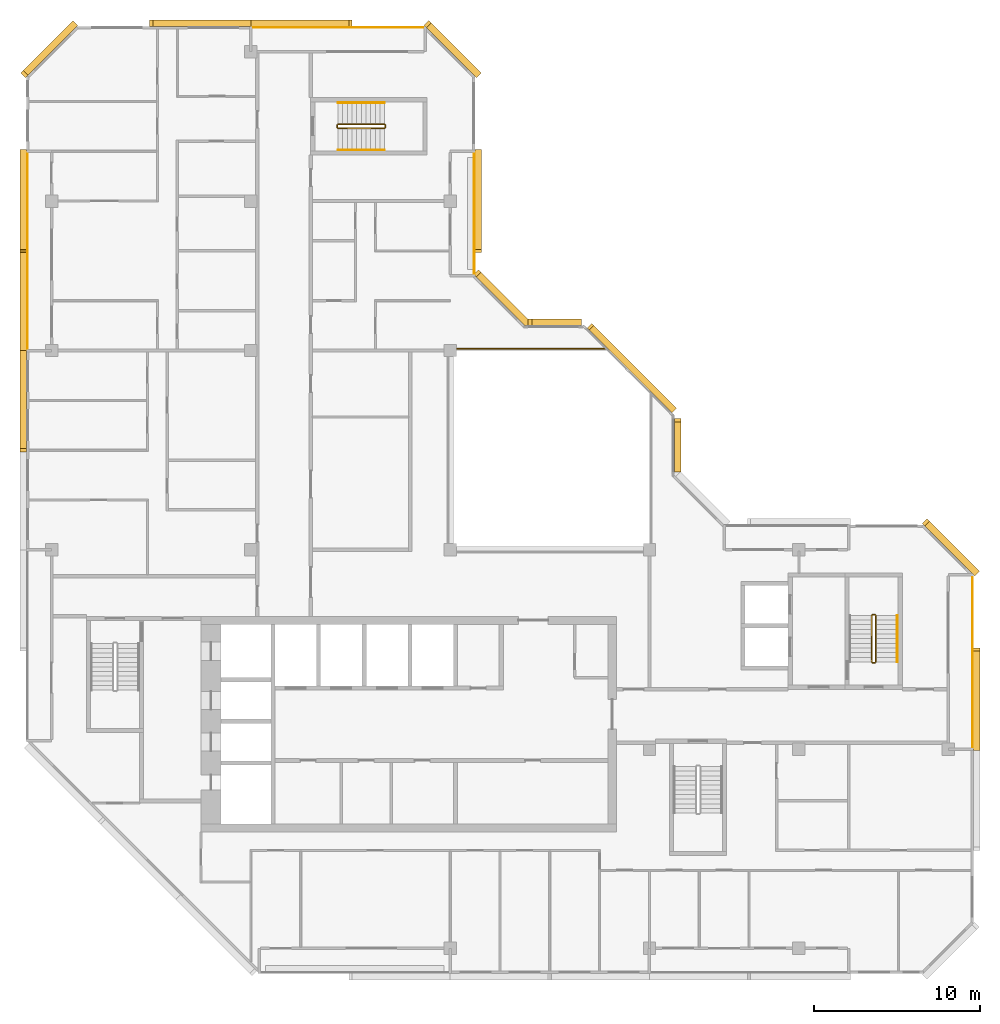
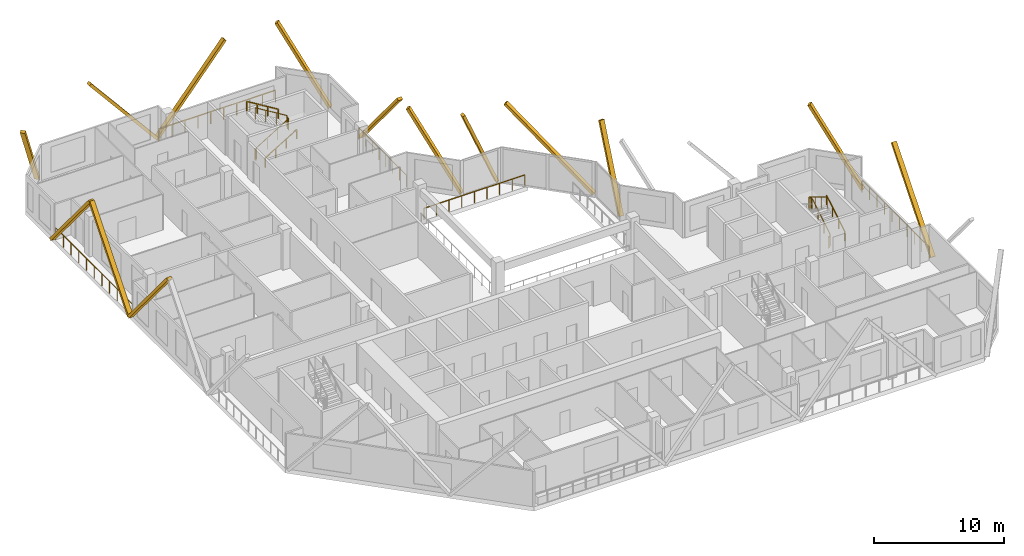
# One storey, part 12 of 12: 14 coverings, 10 railings.
"""IFC4 building model written with IfcOpenShell, lengths in metres."""

from ifc_helpers import new_model, si_unit, direction, frame, origin, origin_2d, place, context, subcontext, project, spatial, rectangle, extrude, material, material_profile, profile_set, type_object, element, save


model = new_model("IFC4")

# Units and contexts
model_context = context("Model", 3, precision=1e-05, world=origin(), true_north=direction((0.0, 1.0)))
body_context = subcontext(model_context, "Body", "Model", "MODEL_VIEW")
ifc_project = project(units=[si_unit("LENGTHUNIT", "METRE"), si_unit("AREAUNIT", "SQUARE_METRE"), si_unit("VOLUMEUNIT", "CUBIC_METRE"), si_unit("PLANEANGLEUNIT", "RADIAN"), si_unit("MASSUNIT", "GRAM", prefix="KILO")], contexts=[model_context])

# Site, building, storey
site_placement = place(None, origin())
site = spatial("IfcSite", under=ifc_project, at=site_placement, CompositionType="ELEMENT")
building_placement = place(site_placement, origin())
building = spatial("IfcBuilding", under=site, at=building_placement, Name="Chenar Terraces", CompositionType="ELEMENT")
storey_placement = place(building_placement, frame((0.0, 0.0, 361.39990234375)))
storey = spatial("IfcBuildingStorey", under=building, at=storey_placement, Name="L84", CompositionType="ELEMENT", Elevation=361.39990234375)

# Railings
ifc_material_1 = material(Name="Powder-coated steel", Category="steel")
railing_type_1 = type_object("IfcRailingType", Name="Guard 1100 steel rail with glass infill", PredefinedType="GUARDRAIL", material=ifc_material_1)
railing_1_placement = place(storey_placement, frame((24.425048828125, 36.10009765625, 0.0)))
element("IfcRailing", 1, at=railing_1_placement, inside=storey, type_object=railing_type_1, Name="Guard L84-2", PredefinedType="GUARDRAIL", context=body_context, shape_type="SweptSolid", body=[
    extrude(rectangle(XDim=0.06005859375, YDim=0.06005859375, at=origin_2d()), frame((0.0, 0.0, 1.070068359375), z_axis=(1.0, 0.0, 0.0), x_axis=(0.0, 1.0, 0.0)), (0.0, 0.0, 1.0), 8.974853515625),
    extrude(rectangle(XDim=0.050048828125, YDim=0.050048828125, at=origin_2d()), origin(), (0.0, 0.0, 1.0), 1.0400390625),
    extrude(rectangle(XDim=0.050048828125, YDim=0.050048828125, at=origin_2d()), frame((1.121826171875, 0.0, 0.0)), (0.0, 0.0, 1.0), 1.0400390625),
    extrude(rectangle(XDim=0.050048828125, YDim=0.050048828125, at=origin_2d()), frame((2.24365234375, 0.0, 0.0)), (0.0, 0.0, 1.0), 1.0400390625),
    extrude(rectangle(XDim=0.050048828125, YDim=0.050048828125, at=origin_2d()), frame((3.365478515625, 0.0, 0.0)), (0.0, 0.0, 1.0), 1.0400390625),
    extrude(rectangle(XDim=0.050048828125, YDim=0.050048828125, at=origin_2d()), frame((4.4873046875, 0.0, 0.0)), (0.0, 0.0, 1.0), 1.0400390625),
    extrude(rectangle(XDim=0.050048828125, YDim=0.050048828125, at=origin_2d()), frame((5.609375, 0.0, 0.0)), (0.0, 0.0, 1.0), 1.0400390625),
    extrude(rectangle(XDim=0.050048828125, YDim=0.050048828125, at=origin_2d()), frame((6.731201171875, 0.0, 0.0)), (0.0, 0.0, 1.0), 1.0400390625),
    extrude(rectangle(XDim=0.050048828125, YDim=0.050048828125, at=origin_2d()), frame((7.85302734375, 0.0, 0.0)), (0.0, 0.0, 1.0), 1.0400390625),
    extrude(rectangle(XDim=0.050048828125, YDim=0.050048828125, at=origin_2d()), frame((8.974853515625, 0.0, 0.0)), (0.0, 0.0, 1.0), 1.0400390625),
])
ifc_material_2 = material(Name="Stainless steel and glass", Category="steel")
railing_type_2 = type_object("IfcRailingType", Name="Loggia guard 1150", PredefinedType="GUARDRAIL", material=ifc_material_2)
railing_2_placement = place(storey_placement, frame((25.449951171875, 40.574951171875, 0.0)))
element("IfcRailing", 2, at=railing_2_placement, inside=storey, type_object=railing_type_2, Name="Loggia guard", PredefinedType="GUARDRAIL", context=body_context, shape_type="SweptSolid", body=[
    extrude(rectangle(XDim=0.048095703125, YDim=0.048095703125, at=origin_2d()), frame((0.0, 0.0, 1.1259765625), z_axis=(0.0, 1.0, 0.0), x_axis=(-1.0, 0.0, 0.0)), (0.0, 0.0, 1.0), 7.35009765625),
    extrude(rectangle(XDim=0.0419921875, YDim=0.0419921875, at=origin_2d()), origin(), (0.0, 0.0, 1.0), 1.101806640625),
    extrude(rectangle(XDim=0.0419921875, YDim=0.0419921875, at=origin_2d()), frame((0.0, 1.050048828125, 0.0)), (0.0, 0.0, 1.0), 1.101806640625),
    extrude(rectangle(XDim=0.0419921875, YDim=0.0419921875, at=origin_2d()), frame((0.0, 2.10009765625, 0.0)), (0.0, 0.0, 1.0), 1.101806640625),
    extrude(rectangle(XDim=0.0419921875, YDim=0.0419921875, at=origin_2d()), frame((0.0, 3.150146484375, 0.0)), (0.0, 0.0, 1.0), 1.101806640625),
    extrude(rectangle(XDim=0.0419921875, YDim=0.0419921875, at=origin_2d()), frame((0.0, 4.199951171875, 0.0)), (0.0, 0.0, 1.0), 1.101806640625),
    extrude(rectangle(XDim=0.0419921875, YDim=0.0419921875, at=origin_2d()), frame((0.0, 5.25, 0.0)), (0.0, 0.0, 1.0), 1.101806640625),
    extrude(rectangle(XDim=0.0419921875, YDim=0.0419921875, at=origin_2d()), frame((0.0, 6.300048828125, 0.0)), (0.0, 0.0, 1.0), 1.101806640625),
    extrude(rectangle(XDim=0.0419921875, YDim=0.0419921875, at=origin_2d()), frame((0.0, 7.35009765625, 0.0)), (0.0, 0.0, 1.0), 1.101806640625),
])
railing_3_placement = place(storey_placement, frame((55.449951171875, 12.074951171875, 0.0)))
element("IfcRailing", 3, at=railing_3_placement, inside=storey, type_object=railing_type_2, Name="Loggia guard", PredefinedType="GUARDRAIL", context=body_context, shape_type="SweptSolid", body=[
    extrude(rectangle(XDim=0.048095703125, YDim=0.048095703125, at=origin_2d()), frame((0.0, 0.0, 1.1259765625), z_axis=(0.0, 1.0, 0.0), x_axis=(-1.0, 0.0, 0.0)), (0.0, 0.0, 1.0), 10.35009765625),
    extrude(rectangle(XDim=0.0419921875, YDim=0.0419921875, at=origin_2d()), origin(), (0.0, 0.0, 1.0), 1.101806640625),
    extrude(rectangle(XDim=0.0419921875, YDim=0.0419921875, at=origin_2d()), frame((0.0, 1.14990234375, 0.0)), (0.0, 0.0, 1.0), 1.101806640625),
    extrude(rectangle(XDim=0.0419921875, YDim=0.0419921875, at=origin_2d()), frame((0.0, 2.300048828125, 0.0)), (0.0, 0.0, 1.0), 1.101806640625),
    extrude(rectangle(XDim=0.0419921875, YDim=0.0419921875, at=origin_2d()), frame((0.0, 3.449951171875, 0.0)), (0.0, 0.0, 1.0), 1.101806640625),
    extrude(rectangle(XDim=0.0419921875, YDim=0.0419921875, at=origin_2d()), frame((0.0, 4.60009765625, 0.0)), (0.0, 0.0, 1.0), 1.101806640625),
    extrude(rectangle(XDim=0.0419921875, YDim=0.0419921875, at=origin_2d()), frame((0.0, 5.75, 0.0)), (0.0, 0.0, 1.0), 1.101806640625),
    extrude(rectangle(XDim=0.0419921875, YDim=0.0419921875, at=origin_2d()), frame((0.0, 6.900146484375, 0.0)), (0.0, 0.0, 1.0), 1.101806640625),
    extrude(rectangle(XDim=0.0419921875, YDim=0.0419921875, at=origin_2d()), frame((0.0, 8.050048828125, 0.0)), (0.0, 0.0, 1.0), 1.101806640625),
    extrude(rectangle(XDim=0.0419921875, YDim=0.0419921875, at=origin_2d()), frame((0.0, 9.2001953125, 0.0)), (0.0, 0.0, 1.0), 1.101806640625),
    extrude(rectangle(XDim=0.0419921875, YDim=0.0419921875, at=origin_2d()), frame((0.0, 10.35009765625, 0.0)), (0.0, 0.0, 1.0), 1.101806640625),
])
railing_4_placement = place(storey_placement, frame((22.425048828125, 55.449951171875, 0.0)))
element("IfcRailing", 4, at=railing_4_placement, inside=storey, type_object=railing_type_2, Name="Loggia guard", PredefinedType="GUARDRAIL", context=body_context, shape_type="SweptSolid", body=[
    extrude(rectangle(XDim=0.048095703125, YDim=0.048095703125, at=origin_2d()), frame((0.0, 0.0, 1.1259765625), z_axis=(-1.0, 0.0, 0.0), x_axis=(0.0, -1.0, 0.0)), (0.0, 0.0, 1.0), 10.35009765625),
    extrude(rectangle(XDim=0.0419921875, YDim=0.0419921875, at=origin_2d()), origin(), (0.0, 0.0, 1.0), 1.101806640625),
    extrude(rectangle(XDim=0.0419921875, YDim=0.0419921875, at=origin_2d()), frame((-1.14990234375, 0.0, 0.0)), (0.0, 0.0, 1.0), 1.101806640625),
    extrude(rectangle(XDim=0.0419921875, YDim=0.0419921875, at=origin_2d()), frame((-2.300048828125, 0.0, 0.0)), (0.0, 0.0, 1.0), 1.101806640625),
    extrude(rectangle(XDim=0.0419921875, YDim=0.0419921875, at=origin_2d()), frame((-3.449951171875, 0.0, 0.0)), (0.0, 0.0, 1.0), 1.101806640625),
    extrude(rectangle(XDim=0.0419921875, YDim=0.0419921875, at=origin_2d()), frame((-4.60009765625, 0.0, 0.0)), (0.0, 0.0, 1.0), 1.101806640625),
    extrude(rectangle(XDim=0.0419921875, YDim=0.0419921875, at=origin_2d()), frame((-5.75, 0.0, 0.0)), (0.0, 0.0, 1.0), 1.101806640625),
    extrude(rectangle(XDim=0.0419921875, YDim=0.0419921875, at=origin_2d()), frame((-6.900146484375, 0.0, 0.0)), (0.0, 0.0, 1.0), 1.101806640625),
    extrude(rectangle(XDim=0.0419921875, YDim=0.0419921875, at=origin_2d()), frame((-8.050048828125, 0.0, 0.0)), (0.0, 0.0, 1.0), 1.101806640625),
    extrude(rectangle(XDim=0.0419921875, YDim=0.0419921875, at=origin_2d()), frame((-9.2001953125, 0.0, 0.0)), (0.0, 0.0, 1.0), 1.101806640625),
    extrude(rectangle(XDim=0.0419921875, YDim=0.0419921875, at=origin_2d()), frame((-10.35009765625, 0.0, 0.0)), (0.0, 0.0, 1.0), 1.101806640625),
])
railing_5_placement = place(storey_placement, frame((-1.449951171875, 47.925048828125, 0.0)))
element("IfcRailing", 5, at=railing_5_placement, inside=storey, type_object=railing_type_2, Name="Loggia guard", PredefinedType="GUARDRAIL", context=body_context, shape_type="SweptSolid", body=[
    extrude(rectangle(XDim=0.048095703125, YDim=0.048095703125, at=origin_2d()), frame((0.0, 0.0, 1.1259765625), z_axis=(0.0, -1.0, 0.0), x_axis=(1.0, 0.0, 0.0)), (0.0, 0.0, 1.0), 11.85009765625),
    extrude(rectangle(XDim=0.0419921875, YDim=0.0419921875, at=origin_2d()), origin(), (0.0, 0.0, 1.0), 1.101806640625),
    extrude(rectangle(XDim=0.0419921875, YDim=0.0419921875, at=origin_2d()), frame((0.0, -1.18505859375, 0.0)), (0.0, 0.0, 1.0), 1.101806640625),
    extrude(rectangle(XDim=0.0419921875, YDim=0.0419921875, at=origin_2d()), frame((0.0, -2.3701171875, 0.0)), (0.0, 0.0, 1.0), 1.101806640625),
    extrude(rectangle(XDim=0.0419921875, YDim=0.0419921875, at=origin_2d()), frame((0.0, -3.554931640625, 0.0)), (0.0, 0.0, 1.0), 1.101806640625),
    extrude(rectangle(XDim=0.0419921875, YDim=0.0419921875, at=origin_2d()), frame((0.0, -4.739990234375, 0.0)), (0.0, 0.0, 1.0), 1.101806640625),
    extrude(rectangle(XDim=0.0419921875, YDim=0.0419921875, at=origin_2d()), frame((0.0, -5.925048828125, 0.0)), (0.0, 0.0, 1.0), 1.101806640625),
    extrude(rectangle(XDim=0.0419921875, YDim=0.0419921875, at=origin_2d()), frame((0.0, -7.110107421875, 0.0)), (0.0, 0.0, 1.0), 1.101806640625),
    extrude(rectangle(XDim=0.0419921875, YDim=0.0419921875, at=origin_2d()), frame((0.0, -8.295166015625, 0.0)), (0.0, 0.0, 1.0), 1.101806640625),
    extrude(rectangle(XDim=0.0419921875, YDim=0.0419921875, at=origin_2d()), frame((0.0, -9.47998046875, 0.0)), (0.0, 0.0, 1.0), 1.101806640625),
    extrude(rectangle(XDim=0.0419921875, YDim=0.0419921875, at=origin_2d()), frame((0.0, -10.6650390625, 0.0)), (0.0, 0.0, 1.0), 1.101806640625),
    extrude(rectangle(XDim=0.0419921875, YDim=0.0419921875, at=origin_2d()), frame((0.0, -11.85009765625, 0.0)), (0.0, 0.0, 1.0), 1.101806640625),
])
ifc_material_3 = material(Name="Powder-coated steel", Category="steel")
railing_type_3 = type_object("IfcRailingType", Name="Stair guard 1100", PredefinedType="GUARDRAIL", material=ifc_material_3)
railing_6_placement = place(storey_placement, frame((49.375, 17.25, 3.75)))
element("IfcRailing", 6, at=railing_6_placement, inside=storey, type_object=railing_type_3, Name="L84 ST3 stair guard 1", PredefinedType="GUARDRAIL", context=body_context, shape_type="SweptSolid", body=[
    extrude(rectangle(XDim=0.048095703125, YDim=0.048095703125, at=origin_2d()), frame((0.0, 0.0, 1.076171875), z_axis=(0.0, 0.854202870247, -0.519939858505), x_axis=(-1.0, 0.0, 0.0)), (0.0, 0.0, 1.0), 3.278076171875),
    extrude(rectangle(XDim=0.048095703125, YDim=0.048095703125, at=origin_2d()), frame((0.0, 2.800048828125, -0.62841796875), z_axis=(0.270899902878, 0.270899902878, -0.923702595667), x_axis=(-0.707106781187, 0.707106781187, 0.0)), (0.0, 0.0, 1.0), 0.184814453125),
    extrude(rectangle(XDim=0.048095703125, YDim=0.048095703125, at=origin_2d()), frame((0.050048828125, 2.85009765625, -0.798828125), z_axis=(1.0, 0.0, 0.0), x_axis=(0.0, 1.0, 0.0)), (0.0, 0.0, 1.0), 0.14990234375),
    extrude(rectangle(XDim=0.048095703125, YDim=0.048095703125, at=origin_2d()), frame((0.199951171875, 2.85009765625, -0.798828125), z_axis=(0.707106781187, -0.707106781187, 0.0), x_axis=(0.707106781187, 0.707106781187, 0.0)), (0.0, 0.0, 1.0), 0.07080078125),
    extrude(rectangle(XDim=0.048095703125, YDim=0.048095703125, at=origin_2d()), frame((0.25, 2.800048828125, -0.798828125), z_axis=(0.0, -0.854202870247, -0.519939858505), x_axis=(1.0, 0.0, 0.0)), (0.0, 0.0, 1.0), 3.278076171875),
    extrude(rectangle(XDim=0.048095703125, YDim=0.048095703125, at=origin_2d()), frame((0.25, 0.0, -2.50341796875), z_axis=(-0.270899902878, -0.270899902878, -0.923702595667), x_axis=(0.707106781187, -0.707106781187, 0.0)), (0.0, 0.0, 1.0), 0.184814453125),
    extrude(rectangle(XDim=0.048095703125, YDim=0.048095703125, at=origin_2d()), frame((0.199951171875, -0.050048828125, -2.673828125), z_axis=(-1.0, 0.0, 0.0), x_axis=(0.0, -1.0, 0.0)), (0.0, 0.0, 1.0), 0.14990234375),
    extrude(rectangle(XDim=0.0419921875, YDim=0.0419921875, at=origin_2d()), origin(), (0.0, 0.0, 1.0), 1.052001953125),
    extrude(rectangle(XDim=0.0419921875, YDim=0.0419921875, at=origin_2d()), frame((0.0, 0.933349609375, -0.568115234375)), (0.0, 0.0, 1.0), 1.052001953125),
    extrude(rectangle(XDim=0.0419921875, YDim=0.0419921875, at=origin_2d()), frame((0.0, 1.86669921875, -1.13623046875)), (0.0, 0.0, 1.0), 1.052001953125),
    extrude(rectangle(XDim=0.0419921875, YDim=0.0419921875, at=origin_2d()), frame((0.0, 2.800048828125, -1.704345703125)), (0.0, 0.0, 1.0), 1.052001953125),
    extrude(rectangle(XDim=0.0419921875, YDim=0.0419921875, at=origin_2d()), frame((0.050048828125, 2.85009765625, -1.875)), (0.0, 0.0, 1.0), 1.052001953125),
    extrude(rectangle(XDim=0.0419921875, YDim=0.0419921875, at=origin_2d()), frame((0.199951171875, 2.85009765625, -1.875)), (0.0, 0.0, 1.0), 1.052001953125),
    extrude(rectangle(XDim=0.0419921875, YDim=0.0419921875, at=origin_2d()), frame((0.25, 2.800048828125, -1.875)), (0.0, 0.0, 1.0), 1.052001953125),
    extrude(rectangle(XDim=0.0419921875, YDim=0.0419921875, at=origin_2d()), frame((0.25, 1.86669921875, -2.443115234375)), (0.0, 0.0, 1.0), 1.052001953125),
    extrude(rectangle(XDim=0.0419921875, YDim=0.0419921875, at=origin_2d()), frame((0.25, 0.933349609375, -3.01123046875)), (0.0, 0.0, 1.0), 1.052001953125),
    extrude(rectangle(XDim=0.0419921875, YDim=0.0419921875, at=origin_2d()), frame((0.25, 0.0, -3.579345703125)), (0.0, 0.0, 1.0), 1.052001953125),
    extrude(rectangle(XDim=0.0419921875, YDim=0.0419921875, at=origin_2d()), frame((0.199951171875, -0.050048828125, -3.75)), (0.0, 0.0, 1.0), 1.052001953125),
    extrude(rectangle(XDim=0.0419921875, YDim=0.0419921875, at=origin_2d()), frame((0.050048828125, -0.050048828125, -3.75)), (0.0, 0.0, 1.0), 1.052001953125),
])
railing_7_placement = place(storey_placement, frame((17.25, 49.625, 3.75)))
element("IfcRailing", 7, at=railing_7_placement, inside=storey, type_object=railing_type_3, Name="L84 ST4 stair guard 1", PredefinedType="GUARDRAIL", context=body_context, shape_type="SweptSolid", body=[
    extrude(rectangle(XDim=0.048095703125, YDim=0.048095703125, at=origin_2d()), frame((0.0, 0.0, 1.076171875), z_axis=(0.854202870247, 0.0, -0.519939858505), x_axis=(0.0, 1.0, 0.0)), (0.0, 0.0, 1.0), 3.278076171875),
    extrude(rectangle(XDim=0.048095703125, YDim=0.048095703125, at=origin_2d()), frame((2.800048828125, 0.0, -0.62841796875), z_axis=(0.270899902878, -0.270899902878, -0.923702595667), x_axis=(0.707106781187, 0.707106781187, 0.0)), (0.0, 0.0, 1.0), 0.184814453125),
    extrude(rectangle(XDim=0.048095703125, YDim=0.048095703125, at=origin_2d()), frame((2.85009765625, -0.050048828125, -0.798828125), z_axis=(0.0, -1.0, 0.0), x_axis=(1.0, 0.0, 0.0)), (0.0, 0.0, 1.0), 0.14990234375),
    extrude(rectangle(XDim=0.048095703125, YDim=0.048095703125, at=origin_2d()), frame((2.85009765625, -0.199951171875, -0.798828125), z_axis=(-0.707106781187, -0.707106781187, 0.0), x_axis=(0.707106781187, -0.707106781187, 0.0)), (0.0, 0.0, 1.0), 0.07080078125),
    extrude(rectangle(XDim=0.048095703125, YDim=0.048095703125, at=origin_2d()), frame((2.800048828125, -0.25, -0.798828125), z_axis=(-0.854202870247, 0.0, -0.519939858505), x_axis=(0.0, -1.0, 0.0)), (0.0, 0.0, 1.0), 3.278076171875),
    extrude(rectangle(XDim=0.048095703125, YDim=0.048095703125, at=origin_2d()), frame((0.0, -0.25, -2.50341796875), z_axis=(-0.270899902878, 0.270899902878, -0.923702595667), x_axis=(-0.707106781187, -0.707106781187, 0.0)), (0.0, 0.0, 1.0), 0.184814453125),
    extrude(rectangle(XDim=0.048095703125, YDim=0.048095703125, at=origin_2d()), frame((-0.050048828125, -0.199951171875, -2.673828125), z_axis=(0.0, 1.0, 0.0), x_axis=(-1.0, 0.0, 0.0)), (0.0, 0.0, 1.0), 0.14990234375),
    extrude(rectangle(XDim=0.0419921875, YDim=0.0419921875, at=origin_2d()), origin(), (0.0, 0.0, 1.0), 1.052001953125),
    extrude(rectangle(XDim=0.0419921875, YDim=0.0419921875, at=origin_2d()), frame((0.933349609375, 0.0, -0.568115234375)), (0.0, 0.0, 1.0), 1.052001953125),
    extrude(rectangle(XDim=0.0419921875, YDim=0.0419921875, at=origin_2d()), frame((1.86669921875, 0.0, -1.13623046875)), (0.0, 0.0, 1.0), 1.052001953125),
    extrude(rectangle(XDim=0.0419921875, YDim=0.0419921875, at=origin_2d()), frame((2.800048828125, 0.0, -1.704345703125)), (0.0, 0.0, 1.0), 1.052001953125),
    extrude(rectangle(XDim=0.0419921875, YDim=0.0419921875, at=origin_2d()), frame((2.85009765625, -0.050048828125, -1.875)), (0.0, 0.0, 1.0), 1.052001953125),
    extrude(rectangle(XDim=0.0419921875, YDim=0.0419921875, at=origin_2d()), frame((2.85009765625, -0.199951171875, -1.875)), (0.0, 0.0, 1.0), 1.052001953125),
    extrude(rectangle(XDim=0.0419921875, YDim=0.0419921875, at=origin_2d()), frame((2.800048828125, -0.25, -1.875)), (0.0, 0.0, 1.0), 1.052001953125),
    extrude(rectangle(XDim=0.0419921875, YDim=0.0419921875, at=origin_2d()), frame((1.86669921875, -0.25, -2.443115234375)), (0.0, 0.0, 1.0), 1.052001953125),
    extrude(rectangle(XDim=0.0419921875, YDim=0.0419921875, at=origin_2d()), frame((0.933349609375, -0.25, -3.01123046875)), (0.0, 0.0, 1.0), 1.052001953125),
    extrude(rectangle(XDim=0.0419921875, YDim=0.0419921875, at=origin_2d()), frame((0.0, -0.25, -3.579345703125)), (0.0, 0.0, 1.0), 1.052001953125),
    extrude(rectangle(XDim=0.0419921875, YDim=0.0419921875, at=origin_2d()), frame((-0.050048828125, -0.199951171875, -3.75)), (0.0, 0.0, 1.0), 1.052001953125),
    extrude(rectangle(XDim=0.0419921875, YDim=0.0419921875, at=origin_2d()), frame((-0.050048828125, -0.050048828125, -3.75)), (0.0, 0.0, 1.0), 1.052001953125),
])
ifc_material_4 = material(Name="Powder-coated steel", Category="steel")
railing_type_4 = type_object("IfcRailingType", Name="Stair handrail 900", PredefinedType="HANDRAIL", material=ifc_material_4)
railing_8_placement = place(storey_placement, frame((50.925048828125, 17.25, 0.170654296875)))
element("IfcRailing", 8, at=railing_8_placement, inside=storey, type_object=railing_type_4, Name="L84 ST3 stair handrail 1", PredefinedType="HANDRAIL", context=body_context, shape_type="SweptSolid", body=[
    extrude(rectangle(XDim=0.048095703125, YDim=0.048095703125, at=origin_2d()), frame((0.0, 0.0, 0.8759765625), z_axis=(0.0, 0.854202870247, 0.519939858505), x_axis=(-1.0, 0.0, 0.0)), (0.0, 0.0, 1.0), 3.278076171875),
    extrude(rectangle(XDim=0.0419921875, YDim=0.0419921875, at=origin_2d()), origin(), (0.0, 0.0, 1.0), 0.851806640625),
    extrude(rectangle(XDim=0.0419921875, YDim=0.0419921875, at=origin_2d()), frame((0.0, 0.933349609375, 0.568115234375)), (0.0, 0.0, 1.0), 0.851806640625),
    extrude(rectangle(XDim=0.0419921875, YDim=0.0419921875, at=origin_2d()), frame((0.0, 1.86669921875, 1.13623046875)), (0.0, 0.0, 1.0), 0.851806640625),
    extrude(rectangle(XDim=0.0419921875, YDim=0.0419921875, at=origin_2d()), frame((0.0, 2.800048828125, 1.704345703125)), (0.0, 0.0, 1.0), 0.851806640625),
])
railing_9_placement = place(storey_placement, frame((17.25, 48.074951171875, 0.170654296875)))
element("IfcRailing", 9, at=railing_9_placement, inside=storey, type_object=railing_type_4, Name="L84 ST4 stair handrail 1", PredefinedType="HANDRAIL", context=body_context, shape_type="SweptSolid", body=[
    extrude(rectangle(XDim=0.048095703125, YDim=0.048095703125, at=origin_2d()), frame((0.0, 0.0, 0.8759765625), z_axis=(0.854202870247, 0.0, 0.519939858505), x_axis=(0.0, 1.0, 0.0)), (0.0, 0.0, 1.0), 3.278076171875),
    extrude(rectangle(XDim=0.0419921875, YDim=0.0419921875, at=origin_2d()), origin(), (0.0, 0.0, 1.0), 0.851806640625),
    extrude(rectangle(XDim=0.0419921875, YDim=0.0419921875, at=origin_2d()), frame((0.933349609375, 0.0, 0.568115234375)), (0.0, 0.0, 1.0), 0.851806640625),
    extrude(rectangle(XDim=0.0419921875, YDim=0.0419921875, at=origin_2d()), frame((1.86669921875, 0.0, 1.13623046875)), (0.0, 0.0, 1.0), 0.851806640625),
    extrude(rectangle(XDim=0.0419921875, YDim=0.0419921875, at=origin_2d()), frame((2.800048828125, 0.0, 1.704345703125)), (0.0, 0.0, 1.0), 0.851806640625),
])
railing_10_placement = place(storey_placement, frame((20.050048828125, 50.925048828125, 2.045654296875)))
element("IfcRailing", 10, at=railing_10_placement, inside=storey, type_object=railing_type_4, Name="L84 ST4 stair handrail 2", PredefinedType="HANDRAIL", context=body_context, shape_type="SweptSolid", body=[
    extrude(rectangle(XDim=0.048095703125, YDim=0.048095703125, at=origin_2d()), frame((0.0, 0.0, 0.8759765625), z_axis=(-0.854202870247, 0.0, 0.519939858505), x_axis=(0.0, -1.0, 0.0)), (0.0, 0.0, 1.0), 3.278076171875),
    extrude(rectangle(XDim=0.0419921875, YDim=0.0419921875, at=origin_2d()), origin(), (0.0, 0.0, 1.0), 0.851806640625),
    extrude(rectangle(XDim=0.0419921875, YDim=0.0419921875, at=origin_2d()), frame((-0.933349609375, 0.0, 0.568115234375)), (0.0, 0.0, 1.0), 0.851806640625),
    extrude(rectangle(XDim=0.0419921875, YDim=0.0419921875, at=origin_2d()), frame((-1.86669921875, 0.0, 1.13623046875)), (0.0, 0.0, 1.0), 0.851806640625),
    extrude(rectangle(XDim=0.0419921875, YDim=0.0419921875, at=origin_2d()), frame((-2.800048828125, 0.0, 1.704345703125)), (0.0, 0.0, 1.0), 0.851806640625),
])

# Coverings
ifc_material_5 = material(Name="Terracotta", Category="masonry")
ifc_material_profile = material_profile(ifc_material_5, rectangle(XDim=0.39990234375, YDim=0.25, at=origin_2d()), Name="Terracotta baguette 400 x 250")
ifc_profile_set = profile_set([ifc_material_profile], Name="Terracotta")
covering_type = type_object("IfcCoveringType", Name="Terracotta baguette 400 x 250", PredefinedType="CLADDING", material=ifc_profile_set)
covering_1_placement = place(storey_placement, frame((37.699951171875, 28.800048828125, 0.150146484375), z_axis=(0.0, 0.384617607118, 0.923075997031), x_axis=(-1.0, 0.0, 0.0)))
element("IfcCovering", 11, at=covering_1_placement, inside=storey, type_object=covering_type, Name="Terracotta baguette", PredefinedType="CLADDING", context=body_context, shape_type="SweptSolid", body=[
    extrude(rectangle(XDim=0.39990234375, YDim=0.25, at=origin_2d()), origin(), (0.0, 0.0, 1.0), 7.800048828125),
])
covering_2_placement = place(storey_placement, frame((37.42919921875, 32.45361328125, 0.150146484375), z_axis=(-0.494222393737, 0.4942466441, 0.715167449151), x_axis=(-0.707124128605, -0.707089433343, 0.0)))
element("IfcCovering", 12, at=covering_2_placement, inside=storey, type_object=covering_type, Name="Terracotta baguette", PredefinedType="CLADDING", context=body_context, shape_type="SweptSolid", body=[
    extrude(rectangle(XDim=0.39990234375, YDim=0.25, at=origin_2d()), origin(), (0.0, 0.0, 1.0), 10.0673828125),
])
covering_3_placement = place(storey_placement, frame((31.800048828125, 37.699951171875, 0.150146484375), z_axis=(-0.384617607118, 0.0, 0.923075997031), x_axis=(0.0, -1.0, 0.0)))
element("IfcCovering", 13, at=covering_3_placement, inside=storey, type_object=covering_type, Name="Terracotta baguette", PredefinedType="CLADDING", context=body_context, shape_type="SweptSolid", body=[
    extrude(rectangle(XDim=0.39990234375, YDim=0.25, at=origin_2d()), origin(), (0.0, 0.0, 1.0), 7.800048828125),
])
covering_4_placement = place(storey_placement, frame((28.641357421875, 37.641357421875, 0.150146484375), z_axis=(-0.358980886355, 0.358980886355, 0.861548284464), x_axis=(-0.707106781187, -0.707106781187, 0.0)))
element("IfcCovering", 14, at=covering_4_placement, inside=storey, type_object=covering_type, Name="Terracotta baguette", PredefinedType="CLADDING", context=body_context, shape_type="SweptSolid", body=[
    extrude(rectangle(XDim=0.39990234375, YDim=0.25, at=origin_2d()), origin(), (0.0, 0.0, 1.0), 8.35693359375),
])
covering_5_placement = place(storey_placement, frame((25.699951171875, 42.0, 7.35009765625), z_axis=(0.0, 0.640186961885, -0.768219144407), x_axis=(-1.0, 0.0, 0.0)))
element("IfcCovering", 15, at=covering_5_placement, inside=storey, type_object=covering_type, Name="Terracotta baguette", PredefinedType="CLADDING", context=body_context, shape_type="SweptSolid", body=[
    extrude(rectangle(XDim=0.39990234375, YDim=0.25, at=origin_2d()), origin(), (0.0, 0.0, 1.0), 9.372314453125),
])
covering_6_placement = place(storey_placement, frame((25.641357421875, 52.641357421875, 0.150146484375), z_axis=(-0.358980886355, 0.358980886355, 0.861548284464), x_axis=(-0.707106781187, -0.707106781187, 0.0)))
element("IfcCovering", 16, at=covering_6_placement, inside=storey, type_object=covering_type, Name="Terracotta baguette", PredefinedType="CLADDING", context=body_context, shape_type="SweptSolid", body=[
    extrude(rectangle(XDim=0.39990234375, YDim=0.25, at=origin_2d()), origin(), (0.0, 0.0, 1.0), 8.35693359375),
])
for number, where, z_axis, x_axis, name in (
    (17, (18.0, 55.699951171875, 7.35009765625), (-0.640186961885, 0.0, -0.768219144407), (0.0, -1.0, 0.0), "Terracotta baguette"),
    (18, (12.0, 55.699951171875, 0.150146484375), (-0.640186961885, 0.0, 0.768219144407), (0.0, -1.0, 0.0), "Terracotta baguette"),
):
    element("IfcCovering", number, at=place(storey_placement, frame(where, z_axis=z_axis, x_axis=x_axis)), inside=storey, type_object=covering_type, Name=name, PredefinedType="CLADDING", context=body_context, shape_type="SweptSolid", body=[
        extrude(rectangle(XDim=0.39990234375, YDim=0.25, at=origin_2d()), origin(), (0.0, 0.0, 1.0), 9.372314453125),
    ])
covering_7_placement = place(storey_placement, frame((1.358642578125, 55.641357421875, 0.150146484375), z_axis=(-0.358980886355, -0.358980886355, 0.861548284464), x_axis=(0.707106781187, -0.707106781187, 0.0)))
element("IfcCovering", 19, at=covering_7_placement, inside=storey, type_object=covering_type, Name="Terracotta baguette", PredefinedType="CLADDING", context=body_context, shape_type="SweptSolid", body=[
    extrude(rectangle(XDim=0.39990234375, YDim=0.25, at=origin_2d()), origin(), (0.0, 0.0, 1.0), 8.35693359375),
])
for number, where, z_axis, x_axis, name in (
    (20, (-1.699951171875, 48.0, 0.150146484375), (0.0, -0.640186961885, 0.768219144407), (1.0, 0.0, 0.0), "Terracotta baguette"),
    (21, (-1.699951171875, 42.0, 7.35009765625), (0.0, -0.640186961885, -0.768219144407), (1.0, 0.0, 0.0), "Terracotta baguette"),
    (22, (-1.699951171875, 36.0, 0.150146484375), (0.0, -0.640186961885, 0.768219144407), (1.0, 0.0, 0.0), "Terracotta baguette"),
    (23, (55.699951171875, 12.0, 0.150146484375), (0.0, 0.640186961885, 0.768219144407), (-1.0, 0.0, 0.0), "Terracotta baguette"),
):
    element("IfcCovering", number, at=place(storey_placement, frame(where, z_axis=z_axis, x_axis=x_axis)), inside=storey, type_object=covering_type, Name=name, PredefinedType="CLADDING", context=body_context, shape_type="SweptSolid", body=[
        extrude(rectangle(XDim=0.39990234375, YDim=0.25, at=origin_2d()), origin(), (0.0, 0.0, 1.0), 9.372314453125),
    ])
covering_8_placement = place(storey_placement, frame((55.641357421875, 22.641357421875, 0.150146484375), z_axis=(-0.358980886355, 0.358980886355, 0.861548284464), x_axis=(-0.707106781187, -0.707106781187, 0.0)))
element("IfcCovering", 24, at=covering_8_placement, inside=storey, type_object=covering_type, Name="Terracotta baguette", PredefinedType="CLADDING", context=body_context, shape_type="SweptSolid", body=[
    extrude(rectangle(XDim=0.39990234375, YDim=0.25, at=origin_2d()), origin(), (0.0, 0.0, 1.0), 8.35693359375),
])

save(model, "model.ifc")
